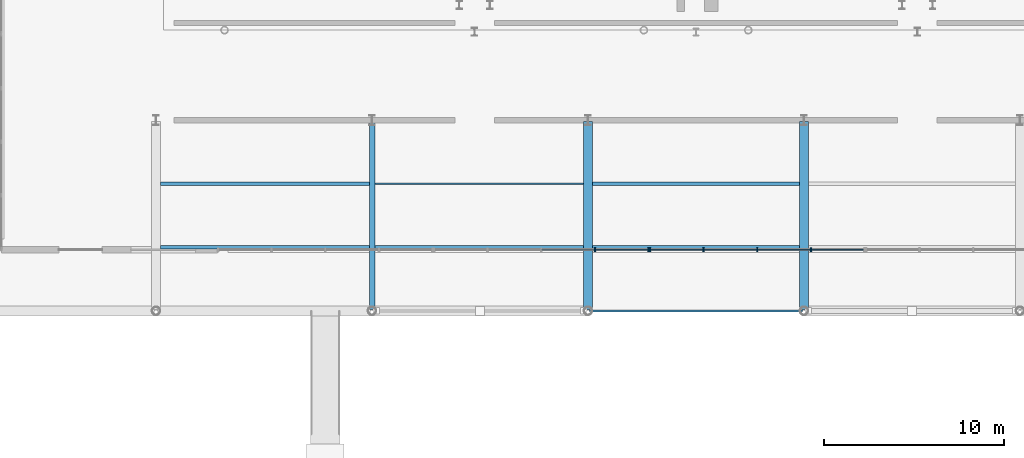
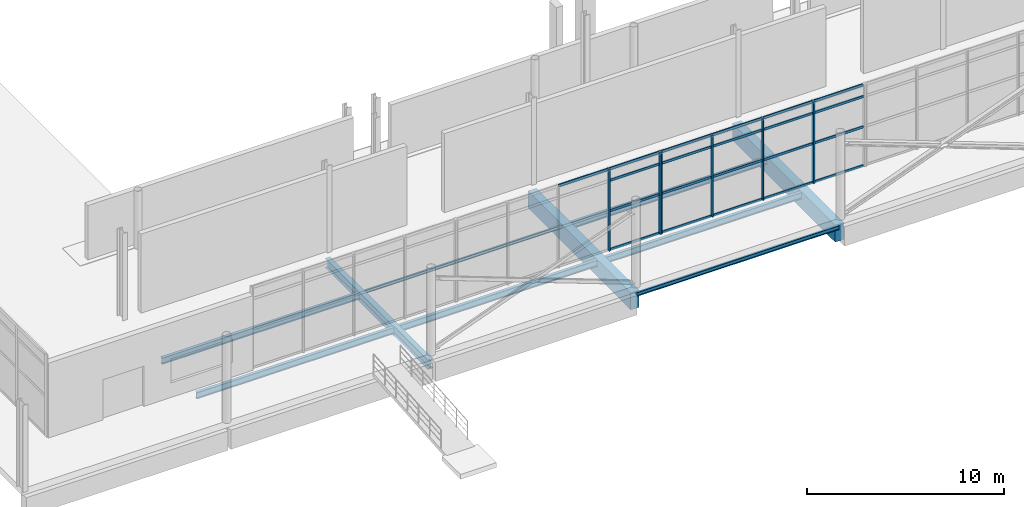
# One storey, part 17 of 85: 27 members, 10 beams, 2 elements without a shape of their own.
"""IFC4 building model written with IfcOpenShell, lengths in metres."""

from ifc_helpers import new_model, si_unit, direction, frame, origin, origin_2d, place, context, subcontext, project, spatial, rectangle, i_section, extrude, material, material_profile, profile_set, type_object, element, aggregate, save


model = new_model("IFC4")

# Units and contexts
model_context = context("Model", 3, precision=1e-05, world=origin(), true_north=direction((0.0, 1.0)))
body_context = subcontext(model_context, "Body", "Model", "MODEL_VIEW")
ifc_project = project(units=[si_unit("LENGTHUNIT", "METRE"), si_unit("AREAUNIT", "SQUARE_METRE"), si_unit("VOLUMEUNIT", "CUBIC_METRE"), si_unit("PLANEANGLEUNIT", "RADIAN"), si_unit("MASSUNIT", "GRAM", prefix="KILO"), si_unit("THERMODYNAMICTEMPERATUREUNIT", "KELVIN"), si_unit("POWERUNIT", "WATT")], contexts=[model_context])

# Site, building, storey
site_placement = place(None, origin())
site = spatial("IfcSite", under=ifc_project, at=site_placement, CompositionType="ELEMENT")
building_placement = place(site_placement, origin())
building = spatial("IfcBuilding", under=site, at=building_placement, Name="Solmara Park Aquatics Centre", CompositionType="ELEMENT")
storey_placement = place(building_placement, origin())
storey = spatial("IfcBuildingStorey", under=building, at=storey_placement, Name="L00", CompositionType="ELEMENT", Elevation=0.0)

# Curtain wall, members
ifc_material_1 = material(Name="Anodised Aluminium Curtain Wall Framing", Category="aluminium")
curtain_wall_type = type_object("IfcCurtainWallType", Name="ARC-CW-SYS01", PredefinedType="USERDEFINED", material=ifc_material_1)
curtain_wall_1_placement = place(storey_placement, origin())
curtain_wall_1 = element("IfcCurtainWall", 1, at=curtain_wall_1_placement, inside=storey, type_object=curtain_wall_type, Name="Curtain Wall CW-003", ObjectType="CURTAIN WALL", PredefinedType="USERDEFINED")
ifc_material_2 = material(Name="Anodised Aluminium Alloy 6063-T6", Category="aluminium")
ifc_material_profile_1 = material_profile(ifc_material_2, rectangle(XDim=0.074951171875, YDim=0.219970703125, at=origin_2d()), Name="ALU MULLION 75x220")
ifc_profile_set_1 = profile_set([ifc_material_profile_1], Name="Anodised Aluminium Alloy 6063-T6")
member_type_1 = type_object("IfcMemberType", Name="ARC-CWM-75x220", PredefinedType="MULLION", material=ifc_profile_set_1)
member_1_placement = place(storey_placement, frame((48.97998046875, 16.0, 0.0), z_axis=(0.0, 0.0, 1.0), x_axis=(1.0, 0.0, 0.0)))
member_1 = element("IfcMember", 2, at=member_1_placement, type_object=member_type_1, Name="CW-003 mullion 4", PredefinedType="MULLION", context=body_context, shape_type="SweptSolid", body=[
    extrude(rectangle(XDim=0.074951171875, YDim=0.219970703125, at=origin_2d()), origin(), (0.0, 0.0, 1.0), 5.080078125),
])
member_2_placement = place(storey_placement, frame((51.9599609375, 16.0, 0.0), z_axis=(0.0, 0.0, 1.0), x_axis=(1.0, 0.0, 0.0)))
member_2 = element("IfcMember", 3, at=member_2_placement, type_object=member_type_1, Name="CW-003 mullion 5", PredefinedType="MULLION", context=body_context, shape_type="SweptSolid", body=[
    extrude(rectangle(XDim=0.074951171875, YDim=0.219970703125, at=origin_2d()), origin(), (0.0, 0.0, 1.0), 5.080078125),
])

curtain_wall_2_placement = place(storey_placement, origin())
curtain_wall_2 = element("IfcCurtainWall", 4, at=curtain_wall_2_placement, inside=storey, type_object=curtain_wall_type, Name="Curtain Wall CW-005", ObjectType="CURTAIN WALL", PredefinedType="USERDEFINED")
member_3_placement = place(storey_placement, frame((52.0400390625, 16.0, 0.0), z_axis=(0.0, 0.0, 1.0), x_axis=(1.0, 0.0, 0.0)))
member_3 = element("IfcMember", 5, at=member_3_placement, type_object=member_type_1, Name="CW-005 mullion 1", PredefinedType="MULLION", context=body_context, shape_type="SweptSolid", body=[
    extrude(rectangle(XDim=0.074951171875, YDim=0.219970703125, at=origin_2d()), origin(), (0.0, 0.0, 1.0), 5.080078125),
])
member_4_placement = place(storey_placement, frame((55.02001953125, 16.0, 0.0), z_axis=(0.0, 0.0, 1.0), x_axis=(1.0, 0.0, 0.0)))
member_4 = element("IfcMember", 6, at=member_4_placement, type_object=member_type_1, Name="CW-005 mullion 2", PredefinedType="MULLION", context=body_context, shape_type="SweptSolid", body=[
    extrude(rectangle(XDim=0.074951171875, YDim=0.219970703125, at=origin_2d()), origin(), (0.0, 0.0, 1.0), 5.080078125),
])
member_5_placement = place(storey_placement, frame((58.0, 16.0, 0.0), z_axis=(0.0, 0.0, 1.0), x_axis=(1.0, 0.0, 0.0)))
member_5 = element("IfcMember", 7, at=member_5_placement, type_object=member_type_1, Name="CW-005 mullion 3", PredefinedType="MULLION", context=body_context, shape_type="SweptSolid", body=[
    extrude(rectangle(XDim=0.074951171875, YDim=0.219970703125, at=origin_2d()), origin(), (0.0, 0.0, 1.0), 5.080078125),
])
member_6_placement = place(storey_placement, frame((60.97998046875, 16.0, 0.0), z_axis=(0.0, 0.0, 1.0), x_axis=(1.0, 0.0, 0.0)))
member_6 = element("IfcMember", 8, at=member_6_placement, type_object=member_type_1, Name="CW-005 mullion 4", PredefinedType="MULLION", context=body_context, shape_type="SweptSolid", body=[
    extrude(rectangle(XDim=0.074951171875, YDim=0.219970703125, at=origin_2d()), origin(), (0.0, 0.0, 1.0), 5.080078125),
])

# Member
ifc_material_profile_2 = material_profile(ifc_material_2, rectangle(XDim=0.074951171875, YDim=0.14990234375, at=origin_2d()), Name="ALU TRANSOM 75x150")
ifc_profile_set_2 = profile_set([ifc_material_profile_2], Name="Anodised Aluminium Alloy 6063-T6")
member_type_2 = type_object("IfcMemberType", Name="ARC-CWT-75x150", PredefinedType="USERDEFINED", material=ifc_profile_set_2)
member_7_placement = place(storey_placement, frame((46.02001953125, 16.0, 5.0400390625), z_axis=(1.0, 0.0, 0.0), x_axis=(0.0, 1.0, 0.0)))
member_7 = element("IfcMember", 9, at=member_7_placement, type_object=member_type_2, Name="CW-003 transom 12", ObjectType="TRANSOM", PredefinedType="USERDEFINED", context=body_context, shape_type="SweptSolid", body=[
    extrude(rectangle(XDim=0.074951171875, YDim=0.14990234375, at=origin_2d()), origin(), (0.0, 0.0, 1.0), 2.89990234375),
])

member_8_placement = place(storey_placement, frame((49.0, 16.0, 0.0400390625), z_axis=(1.0, 0.0, 0.0), x_axis=(0.0, 1.0, 0.0)))
member_8 = element("IfcMember", 10, at=member_8_placement, type_object=member_type_2, Name="CW-003 transom 13", ObjectType="TRANSOM", PredefinedType="USERDEFINED", context=body_context, shape_type="SweptSolid", body=[
    extrude(rectangle(XDim=0.074951171875, YDim=0.14990234375, at=origin_2d()), origin(), (0.0, 0.0, 1.0), 2.89990234375),
])

member_9_placement = place(storey_placement, frame((49.0, 16.0, 2.449951171875), z_axis=(1.0, 0.0, 0.0), x_axis=(0.0, 1.0, 0.0)))
member_9 = element("IfcMember", 11, at=member_9_placement, type_object=member_type_2, Name="CW-003 transom 14", ObjectType="TRANSOM", PredefinedType="USERDEFINED", context=body_context, shape_type="SweptSolid", body=[
    extrude(rectangle(XDim=0.074951171875, YDim=0.14990234375, at=origin_2d()), origin(), (0.0, 0.0, 1.0), 2.89990234375),
])

member_10_placement = place(storey_placement, frame((49.0, 16.0, 4.330078125), z_axis=(1.0, 0.0, 0.0), x_axis=(0.0, 1.0, 0.0)))
member_10 = element("IfcMember", 12, at=member_10_placement, type_object=member_type_2, Name="CW-003 transom 15", ObjectType="TRANSOM", PredefinedType="USERDEFINED", context=body_context, shape_type="SweptSolid", body=[
    extrude(rectangle(XDim=0.074951171875, YDim=0.14990234375, at=origin_2d()), origin(), (0.0, 0.0, 1.0), 2.89990234375),
])

member_11_placement = place(storey_placement, frame((49.0, 16.0, 5.0400390625), z_axis=(1.0, 0.0, 0.0), x_axis=(0.0, 1.0, 0.0)))
member_11 = element("IfcMember", 13, at=member_11_placement, type_object=member_type_2, Name="CW-003 transom 16", ObjectType="TRANSOM", PredefinedType="USERDEFINED", context=body_context, shape_type="SweptSolid", body=[
    extrude(rectangle(XDim=0.074951171875, YDim=0.14990234375, at=origin_2d()), origin(), (0.0, 0.0, 1.0), 2.89990234375),
])

aggregate(curtain_wall_1, [member_1, member_2, member_7, member_8, member_9, member_10, member_11])

member_12_placement = place(storey_placement, frame((52.06005859375, 16.0, 0.0400390625), z_axis=(1.0, 0.0, 0.0), x_axis=(0.0, 1.0, 0.0)))
member_12 = element("IfcMember", 14, at=member_12_placement, type_object=member_type_2, Name="CW-005 transom 1", ObjectType="TRANSOM", PredefinedType="USERDEFINED", context=body_context, shape_type="SweptSolid", body=[
    extrude(rectangle(XDim=0.074951171875, YDim=0.14990234375, at=origin_2d()), origin(), (0.0, 0.0, 1.0), 2.89990234375),
])

member_13_placement = place(storey_placement, frame((52.06005859375, 16.0, 2.449951171875), z_axis=(1.0, 0.0, 0.0), x_axis=(0.0, 1.0, 0.0)))
member_13 = element("IfcMember", 15, at=member_13_placement, type_object=member_type_2, Name="CW-005 transom 2", ObjectType="TRANSOM", PredefinedType="USERDEFINED", context=body_context, shape_type="SweptSolid", body=[
    extrude(rectangle(XDim=0.074951171875, YDim=0.14990234375, at=origin_2d()), origin(), (0.0, 0.0, 1.0), 2.89990234375),
])

member_14_placement = place(storey_placement, frame((52.06005859375, 16.0, 4.330078125), z_axis=(1.0, 0.0, 0.0), x_axis=(0.0, 1.0, 0.0)))
member_14 = element("IfcMember", 16, at=member_14_placement, type_object=member_type_2, Name="CW-005 transom 3", ObjectType="TRANSOM", PredefinedType="USERDEFINED", context=body_context, shape_type="SweptSolid", body=[
    extrude(rectangle(XDim=0.074951171875, YDim=0.14990234375, at=origin_2d()), origin(), (0.0, 0.0, 1.0), 2.89990234375),
])

member_15_placement = place(storey_placement, frame((52.06005859375, 16.0, 5.0400390625), z_axis=(1.0, 0.0, 0.0), x_axis=(0.0, 1.0, 0.0)))
member_15 = element("IfcMember", 17, at=member_15_placement, type_object=member_type_2, Name="CW-005 transom 4", ObjectType="TRANSOM", PredefinedType="USERDEFINED", context=body_context, shape_type="SweptSolid", body=[
    extrude(rectangle(XDim=0.074951171875, YDim=0.14990234375, at=origin_2d()), origin(), (0.0, 0.0, 1.0), 2.89990234375),
])

member_16_placement = place(storey_placement, frame((55.0400390625, 16.0, 0.0400390625), z_axis=(1.0, 0.0, 0.0), x_axis=(0.0, 1.0, 0.0)))
member_16 = element("IfcMember", 18, at=member_16_placement, type_object=member_type_2, Name="CW-005 transom 5", ObjectType="TRANSOM", PredefinedType="USERDEFINED", context=body_context, shape_type="SweptSolid", body=[
    extrude(rectangle(XDim=0.074951171875, YDim=0.14990234375, at=origin_2d()), origin(), (0.0, 0.0, 1.0), 2.89990234375),
])

member_17_placement = place(storey_placement, frame((55.0400390625, 16.0, 2.449951171875), z_axis=(1.0, 0.0, 0.0), x_axis=(0.0, 1.0, 0.0)))
member_17 = element("IfcMember", 19, at=member_17_placement, type_object=member_type_2, Name="CW-005 transom 6", ObjectType="TRANSOM", PredefinedType="USERDEFINED", context=body_context, shape_type="SweptSolid", body=[
    extrude(rectangle(XDim=0.074951171875, YDim=0.14990234375, at=origin_2d()), origin(), (0.0, 0.0, 1.0), 2.89990234375),
])

member_18_placement = place(storey_placement, frame((55.0400390625, 16.0, 4.330078125), z_axis=(1.0, 0.0, 0.0), x_axis=(0.0, 1.0, 0.0)))
member_18 = element("IfcMember", 20, at=member_18_placement, type_object=member_type_2, Name="CW-005 transom 7", ObjectType="TRANSOM", PredefinedType="USERDEFINED", context=body_context, shape_type="SweptSolid", body=[
    extrude(rectangle(XDim=0.074951171875, YDim=0.14990234375, at=origin_2d()), origin(), (0.0, 0.0, 1.0), 2.89990234375),
])

member_19_placement = place(storey_placement, frame((55.0400390625, 16.0, 5.0400390625), z_axis=(1.0, 0.0, 0.0), x_axis=(0.0, 1.0, 0.0)))
member_19 = element("IfcMember", 21, at=member_19_placement, type_object=member_type_2, Name="CW-005 transom 8", ObjectType="TRANSOM", PredefinedType="USERDEFINED", context=body_context, shape_type="SweptSolid", body=[
    extrude(rectangle(XDim=0.074951171875, YDim=0.14990234375, at=origin_2d()), origin(), (0.0, 0.0, 1.0), 2.89990234375),
])

member_20_placement = place(storey_placement, frame((58.02001953125, 16.0, 0.0400390625), z_axis=(1.0, 0.0, 0.0), x_axis=(0.0, 1.0, 0.0)))
member_20 = element("IfcMember", 22, at=member_20_placement, type_object=member_type_2, Name="CW-005 transom 9", ObjectType="TRANSOM", PredefinedType="USERDEFINED", context=body_context, shape_type="SweptSolid", body=[
    extrude(rectangle(XDim=0.074951171875, YDim=0.14990234375, at=origin_2d()), origin(), (0.0, 0.0, 1.0), 2.89990234375),
])

member_21_placement = place(storey_placement, frame((58.02001953125, 16.0, 2.449951171875), z_axis=(1.0, 0.0, 0.0), x_axis=(0.0, 1.0, 0.0)))
member_21 = element("IfcMember", 23, at=member_21_placement, type_object=member_type_2, Name="CW-005 transom 10", ObjectType="TRANSOM", PredefinedType="USERDEFINED", context=body_context, shape_type="SweptSolid", body=[
    extrude(rectangle(XDim=0.074951171875, YDim=0.14990234375, at=origin_2d()), origin(), (0.0, 0.0, 1.0), 2.89990234375),
])

member_22_placement = place(storey_placement, frame((58.02001953125, 16.0, 4.330078125), z_axis=(1.0, 0.0, 0.0), x_axis=(0.0, 1.0, 0.0)))
member_22 = element("IfcMember", 24, at=member_22_placement, type_object=member_type_2, Name="CW-005 transom 11", ObjectType="TRANSOM", PredefinedType="USERDEFINED", context=body_context, shape_type="SweptSolid", body=[
    extrude(rectangle(XDim=0.074951171875, YDim=0.14990234375, at=origin_2d()), origin(), (0.0, 0.0, 1.0), 2.89990234375),
])

member_23_placement = place(storey_placement, frame((58.02001953125, 16.0, 5.0400390625), z_axis=(1.0, 0.0, 0.0), x_axis=(0.0, 1.0, 0.0)))
member_23 = element("IfcMember", 25, at=member_23_placement, type_object=member_type_2, Name="CW-005 transom 12", ObjectType="TRANSOM", PredefinedType="USERDEFINED", context=body_context, shape_type="SweptSolid", body=[
    extrude(rectangle(XDim=0.074951171875, YDim=0.14990234375, at=origin_2d()), origin(), (0.0, 0.0, 1.0), 2.89990234375),
])

member_24_placement = place(storey_placement, frame((61.0, 16.0, 0.0400390625), z_axis=(1.0, 0.0, 0.0), x_axis=(0.0, 1.0, 0.0)))
member_24 = element("IfcMember", 26, at=member_24_placement, type_object=member_type_2, Name="CW-005 transom 13", ObjectType="TRANSOM", PredefinedType="USERDEFINED", context=body_context, shape_type="SweptSolid", body=[
    extrude(rectangle(XDim=0.074951171875, YDim=0.14990234375, at=origin_2d()), origin(), (0.0, 0.0, 1.0), 2.89990234375),
])

member_25_placement = place(storey_placement, frame((61.0, 16.0, 2.449951171875), z_axis=(1.0, 0.0, 0.0), x_axis=(0.0, 1.0, 0.0)))
member_25 = element("IfcMember", 27, at=member_25_placement, type_object=member_type_2, Name="CW-005 transom 14", ObjectType="TRANSOM", PredefinedType="USERDEFINED", context=body_context, shape_type="SweptSolid", body=[
    extrude(rectangle(XDim=0.074951171875, YDim=0.14990234375, at=origin_2d()), origin(), (0.0, 0.0, 1.0), 2.89990234375),
])

member_26_placement = place(storey_placement, frame((61.0, 16.0, 4.330078125), z_axis=(1.0, 0.0, 0.0), x_axis=(0.0, 1.0, 0.0)))
member_26 = element("IfcMember", 28, at=member_26_placement, type_object=member_type_2, Name="CW-005 transom 15", ObjectType="TRANSOM", PredefinedType="USERDEFINED", context=body_context, shape_type="SweptSolid", body=[
    extrude(rectangle(XDim=0.074951171875, YDim=0.14990234375, at=origin_2d()), origin(), (0.0, 0.0, 1.0), 2.89990234375),
])

member_27_placement = place(storey_placement, frame((61.0, 16.0, 5.0400390625), z_axis=(1.0, 0.0, 0.0), x_axis=(0.0, 1.0, 0.0)))
member_27 = element("IfcMember", 29, at=member_27_placement, type_object=member_type_2, Name="CW-005 transom 16", ObjectType="TRANSOM", PredefinedType="USERDEFINED", context=body_context, shape_type="SweptSolid", body=[
    extrude(rectangle(XDim=0.074951171875, YDim=0.14990234375, at=origin_2d()), origin(), (0.0, 0.0, 1.0), 2.89990234375),
])

aggregate(curtain_wall_2, [member_3, member_4, member_5, member_6, member_12, member_13, member_14, member_15, member_16, member_17, member_18, member_19, member_20, member_21, member_22, member_23, member_24, member_25, member_26, member_27])

# Beams
ifc_material_3 = material(Name="Structural Steel S355", Category="steel")
ifc_material_profile_3 = material_profile(ifc_material_3, i_section(OverallWidth=0.300048828125, OverallDepth=0.590087890625, WebThickness=0.012939453125, FlangeThickness=0.02490234375, FilletRadius=0.027099609375, at=origin_2d()), Name="HEA 600")
ifc_profile_set_3 = profile_set([ifc_material_profile_3], Name="Structural Steel S355")
beam_type_1 = type_object("IfcBeamType", Name="STR-BM-HEA600", PredefinedType="BEAM", material=ifc_profile_set_3)
beam_1_placement = place(storey_placement, frame((36.60009765625, 12.679931640625, -0.715087890625), z_axis=(0.0, 1.0, 0.0), x_axis=(-1.0, 0.0, 0.0)))
element("IfcBeam", 30, at=beam_1_placement, inside=storey, type_object=beam_type_1, Name="Girder BM-L00-0021", PredefinedType="BEAM", context=body_context, shape_type="SweptSolid", body=[
    extrude(i_section(OverallWidth=0.300048828125, OverallDepth=0.590087890625, WebThickness=0.012939453125, FlangeThickness=0.02490234375, FilletRadius=0.027099609375, at=origin_2d()), origin(), (0.0, 0.0, 1.0), 10.440185546875),
])
ifc_material_4 = material(Name="Concrete C40/50", Category="concrete")
ifc_material_profile_4 = material_profile(ifc_material_4, rectangle(XDim=0.5, YDim=1.050048828125, at=origin_2d()), Name="RC 500x1050")
ifc_profile_set_4 = profile_set([ifc_material_profile_4], Name="Concrete C40/50")
beam_type_2 = type_object("IfcBeamType", Name="STR-BM-RC500x1050", PredefinedType="BEAM", material=ifc_profile_set_4)
for number, where, z_axis, x_axis, name in (
    (31, (48.60009765625, 12.679931640625, -0.945068359375), (0.0, 1.0, 0.0), (-1.0, 0.0, 0.0), "Girder BM-L00-0023"),
    (32, (60.60009765625, 12.679931640625, -0.945068359375), (0.0, 1.0, 0.0), (-1.0, 0.0, 0.0), "Girder BM-L00-0025"),
):
    element("IfcBeam", number, at=place(storey_placement, frame(where, z_axis=z_axis, x_axis=x_axis)), inside=storey, type_object=beam_type_2, Name=name, PredefinedType="BEAM", context=body_context, shape_type="SweptSolid", body=[
        extrude(rectangle(XDim=0.5, YDim=1.050048828125, at=origin_2d()), origin(), (0.0, 0.0, 1.0), 10.440185546875),
    ])
ifc_material_profile_5 = material_profile(ifc_material_3, i_section(OverallWidth=0.10009765625, OverallDepth=0.199951171875, WebThickness=0.005615234375, FlangeThickness=0.008544921875, FilletRadius=0.011962890625, at=origin_2d()), Name="IPE 200")
ifc_profile_set_5 = profile_set([ifc_material_profile_5], Name="Structural Steel S355")
beam_type_3 = type_object("IfcBeamType", Name="STR-JST-IPE200", PredefinedType="JOIST", material=ifc_profile_set_5)
beam_2_placement = place(storey_placement, frame((36.75, 19.666748046875, -0.52001953125), z_axis=(1.0, 0.0, 0.0), x_axis=(0.0, 1.0, 0.0)))
element("IfcBeam", 33, at=beam_2_placement, inside=storey, type_object=beam_type_3, Name="Floor Joist JST-L00-0004", PredefinedType="JOIST", context=body_context, shape_type="SweptSolid", body=[
    extrude(i_section(OverallWidth=0.10009765625, OverallDepth=0.199951171875, WebThickness=0.005615234375, FlangeThickness=0.008544921875, FilletRadius=0.011962890625, at=origin_2d()), origin(), (0.0, 0.0, 1.0), 11.60009765625),
])
ifc_material_profile_6 = material_profile(ifc_material_3, i_section(OverallWidth=0.179931640625, OverallDepth=0.39990234375, WebThickness=0.008544921875, FlangeThickness=0.013427734375, FilletRadius=0.02099609375, at=origin_2d()), Name="IPE 400")
ifc_profile_set_6 = profile_set([ifc_material_profile_6], Name="Structural Steel S355")
beam_type_4 = type_object("IfcBeamType", Name="STR-JST-IPE400", PredefinedType="JOIST", material=ifc_profile_set_6)
for number, where, z_axis, x_axis, name in (
    (34, (24.85009765625, 16.13330078125, -0.6201171875), (1.0, 0.0, 0.0), (0.0, 1.0, 0.0), "Floor Joist JST-L00-0001"),
    (35, (24.85009765625, 19.666748046875, -0.6201171875), (1.0, 0.0, 0.0), (0.0, 1.0, 0.0), "Floor Joist JST-L00-0002"),
):
    element("IfcBeam", number, at=place(storey_placement, frame(where, z_axis=z_axis, x_axis=x_axis)), inside=storey, type_object=beam_type_4, Name=name, PredefinedType="JOIST", context=body_context, shape_type="SweptSolid", body=[
        extrude(i_section(OverallWidth=0.179931640625, OverallDepth=0.39990234375, WebThickness=0.008544921875, FlangeThickness=0.013427734375, FilletRadius=0.02099609375, at=origin_2d()), origin(), (0.0, 0.0, 1.0), 11.599853515625),
    ])
beam_3_placement = place(storey_placement, frame((36.75, 16.13330078125, -0.6201171875), z_axis=(1.0, 0.0, 0.0), x_axis=(0.0, 1.0, 0.0)))
element("IfcBeam", 36, at=beam_3_placement, inside=storey, type_object=beam_type_4, Name="Floor Joist JST-L00-0003", PredefinedType="JOIST", context=body_context, shape_type="SweptSolid", body=[
    extrude(i_section(OverallWidth=0.179931640625, OverallDepth=0.39990234375, WebThickness=0.008544921875, FlangeThickness=0.013427734375, FilletRadius=0.02099609375, at=origin_2d()), origin(), (0.0, 0.0, 1.0), 11.60009765625),
])
for number, where, z_axis, x_axis, name in (
    (37, (48.85009765625, 16.13330078125, -0.6201171875), (1.0, 0.0, 0.0), (0.0, 1.0, 0.0), "Floor Joist JST-L00-0007"),
    (38, (48.85009765625, 19.666748046875, -0.6201171875), (1.0, 0.0, 0.0), (0.0, 1.0, 0.0), "Floor Joist JST-L00-0008"),
):
    element("IfcBeam", number, at=place(storey_placement, frame(where, z_axis=z_axis, x_axis=x_axis)), inside=storey, type_object=beam_type_4, Name=name, PredefinedType="JOIST", context=body_context, shape_type="SweptSolid", body=[
        extrude(i_section(OverallWidth=0.179931640625, OverallDepth=0.39990234375, WebThickness=0.008544921875, FlangeThickness=0.013427734375, FilletRadius=0.02099609375, at=origin_2d()), origin(), (0.0, 0.0, 1.0), 11.5),
    ])
ifc_material_profile_7 = material_profile(ifc_material_3, i_section(OverallWidth=0.1201171875, OverallDepth=0.239990234375, WebThickness=0.006103515625, FlangeThickness=0.009765625, FilletRadius=0.014892578125, at=origin_2d()), Name="IPE 240")
ifc_profile_set_7 = profile_set([ifc_material_profile_7], Name="Structural Steel S355")
beam_type_5 = type_object("IfcBeamType", Name="STR-SPD-IPE240", PredefinedType="SPANDREL", material=ifc_profile_set_7)
beam_4_placement = place(storey_placement, frame((48.679931640625, 12.60009765625, -0.5400390625), z_axis=(1.0, 0.0, 0.0), x_axis=(0.0, 1.0, 0.0)))
element("IfcBeam", 39, at=beam_4_placement, inside=storey, type_object=beam_type_5, Name="Girder BM-L00-0004", PredefinedType="SPANDREL", context=body_context, shape_type="SweptSolid", body=[
    extrude(i_section(OverallWidth=0.1201171875, OverallDepth=0.239990234375, WebThickness=0.006103515625, FlangeThickness=0.009765625, FilletRadius=0.014892578125, at=origin_2d()), origin(), (0.0, 0.0, 1.0), 11.840087890625),
])

save(model, "model.ifc")
